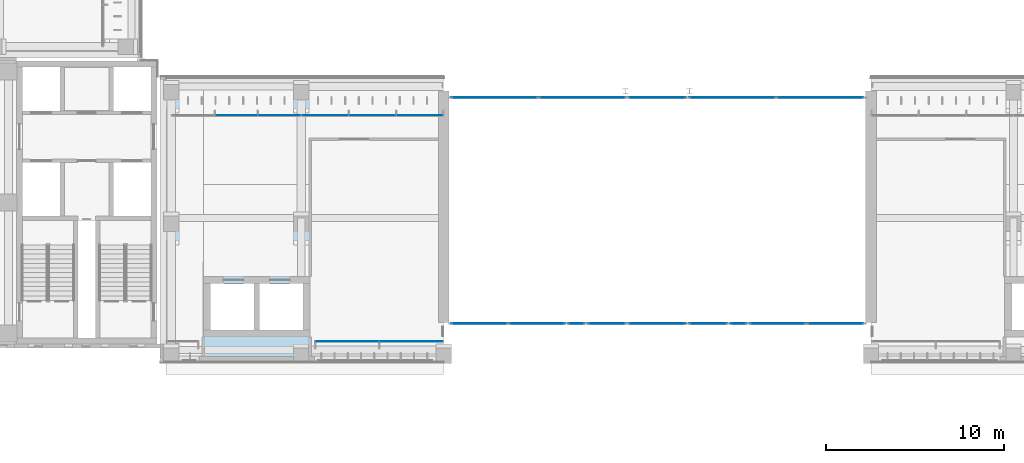
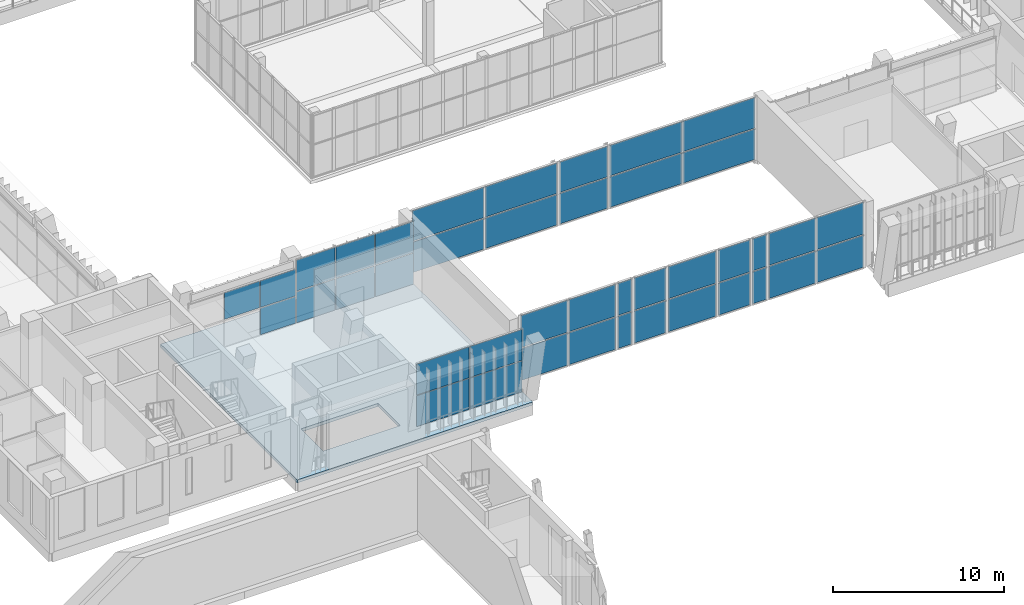
# One storey, part 52 of 92: 41 plates, 1 slab, 13 elements without a shape of their own.
"""IFC4 building model written with IfcOpenShell, lengths in metres."""

from ifc_helpers import new_model, si_unit, direction, frame, origin, origin_2d, place, context, subcontext, project, spatial, polyline, rectangle, outline, extrude, material, layer, layer_set, type_object, element, aggregate, save


model = new_model("IFC4")

# Units and contexts
model_context = context("Model", 3, precision=1e-05, world=origin(), true_north=direction((0.0, 1.0)))
body_context = subcontext(model_context, "Body", "Model", "MODEL_VIEW")
ifc_project = project(units=[si_unit("LENGTHUNIT", "METRE"), si_unit("AREAUNIT", "SQUARE_METRE"), si_unit("VOLUMEUNIT", "CUBIC_METRE"), si_unit("PLANEANGLEUNIT", "RADIAN"), si_unit("MASSUNIT", "GRAM", prefix="KILO")], contexts=[model_context])

# Site, building, storey
site_placement = place(None, origin())
site = spatial("IfcSite", under=ifc_project, at=site_placement, CompositionType="ELEMENT")
building_placement = place(site_placement, origin())
building = spatial("IfcBuilding", under=site, at=building_placement, Name="Lantern Court Media Centre", CompositionType="ELEMENT")
storey_placement = place(building_placement, frame((0.0, 0.0, 4.800048828125)))
storey = spatial("IfcBuildingStorey", under=building, at=storey_placement, Name="L01", CompositionType="ELEMENT", Elevation=4.800048828125)

# Curtain wall, plates
ifc_material_1 = material(Name="Curtain wall bay 2400")
curtain_wall_type_1 = type_object("IfcCurtainWallType", Name="Curtain wall bay 2400", PredefinedType="NOTDEFINED", material=ifc_material_1)
curtain_wall_1_placement = place(storey_placement, origin())
curtain_wall_1 = element("IfcCurtainWall", 1, at=curtain_wall_1_placement, inside=storey, type_object=curtain_wall_type_1, Name="Curtain wall S inner L01", PredefinedType="NOTDEFINED")
ifc_material_2 = material(Name="Low-iron double glazed unit glass", Category="glass")
ifc_layer_1 = layer(ifc_material_2, 0.02392578125)
ifc_layer_set_1 = layer_set([ifc_layer_1], Name="Low-iron double glazed unit glass")
plate_type_1 = type_object("IfcPlateType", Name="Curtain wall glazing unit 24", PredefinedType="CURTAIN_PANEL", material=ifc_layer_set_1)
plate_1_placement = place(storey_placement, frame((28.35009765625, 60.85009765625, 2.0), z_axis=(0.0, 0.0, 1.0), x_axis=(1.0, 0.0, 0.0)))
plate_1 = element("IfcPlate", 2, at=plate_1_placement, type_object=plate_type_1, Name="CW2 panel 2.2", PredefinedType="CURTAIN_PANEL", context=body_context, shape_type="SweptSolid", body=[
    extrude(rectangle(XDim=2.38330078125, YDim=0.02392578125, at=origin_2d()), origin(), (0.0, 0.0, 1.0), 1.89990234375),
])
plate_2_placement = place(storey_placement, frame((30.770751953125, 60.85009765625, 0.050048828125), z_axis=(0.0, 0.0, 1.0), x_axis=(1.0, 0.0, 0.0)))
plate_2 = element("IfcPlate", 3, at=plate_2_placement, type_object=plate_type_1, Name="CW2 panel 3.1", PredefinedType="CURTAIN_PANEL", context=body_context, shape_type="SweptSolid", body=[
    extrude(rectangle(XDim=2.3583984375, YDim=0.02392578125, at=origin_2d()), origin(), (0.0, 0.0, 1.0), 1.89990234375),
])
plate_3_placement = place(storey_placement, frame((30.770751953125, 60.85009765625, 2.0), z_axis=(0.0, 0.0, 1.0), x_axis=(1.0, 0.0, 0.0)))
plate_3 = element("IfcPlate", 4, at=plate_3_placement, type_object=plate_type_1, Name="CW2 panel 3.2", PredefinedType="CURTAIN_PANEL", context=body_context, shape_type="SweptSolid", body=[
    extrude(rectangle(XDim=2.3583984375, YDim=0.02392578125, at=origin_2d()), origin(), (0.0, 0.0, 1.0), 1.89990234375),
])
aggregate(curtain_wall_1, [plate_1, plate_2, plate_3])

curtain_wall_2_placement = place(storey_placement, origin())
curtain_wall_2 = element("IfcCurtainWall", 5, at=curtain_wall_2_placement, inside=storey, type_object=curtain_wall_type_1, Name="Curtain wall S inner L01", PredefinedType="NOTDEFINED")
plate_4_placement = place(storey_placement, frame((33.345947265625, 60.85009765625, 0.0498046875), z_axis=(0.0, 0.0, 1.0), x_axis=(1.0, 0.0, 0.0)))
plate_4 = element("IfcPlate", 6, at=plate_4_placement, type_object=plate_type_1, Name="CW2 panel 1.1", PredefinedType="CURTAIN_PANEL", context=body_context, shape_type="SweptSolid", body=[
    extrude(rectangle(XDim=2.591552734375, YDim=0.02392578125, at=origin_2d()), origin(), (0.0, 0.0, 1.0), 2.215087890625),
])
plate_5_placement = place(storey_placement, frame((33.345947265625, 60.85009765625, 2.31494140625), z_axis=(0.0, 0.0, 1.0), x_axis=(1.0, 0.0, 0.0)))
plate_5 = element("IfcPlate", 7, at=plate_5_placement, type_object=plate_type_1, Name="CW2 panel 1.2", PredefinedType="CURTAIN_PANEL", context=body_context, shape_type="SweptSolid", body=[
    extrude(rectangle(XDim=2.591552734375, YDim=0.02392578125, at=origin_2d()), origin(), (0.0, 0.0, 1.0), 2.215087890625),
])
plate_6_placement = place(storey_placement, frame((36.0, 60.85009765625, 0.0498046875), z_axis=(0.0, 0.0, 1.0), x_axis=(1.0, 0.0, 0.0)))
plate_6 = element("IfcPlate", 8, at=plate_6_placement, type_object=plate_type_1, Name="CW2 panel 2.1", PredefinedType="CURTAIN_PANEL", context=body_context, shape_type="SweptSolid", body=[
    extrude(rectangle(XDim=2.61669921875, YDim=0.02392578125, at=origin_2d()), origin(), (0.0, 0.0, 1.0), 2.215087890625),
])
plate_7_placement = place(storey_placement, frame((36.0, 60.85009765625, 2.31494140625), z_axis=(0.0, 0.0, 1.0), x_axis=(1.0, 0.0, 0.0)))
plate_7 = element("IfcPlate", 9, at=plate_7_placement, type_object=plate_type_1, Name="CW2 panel 2.2", PredefinedType="CURTAIN_PANEL", context=body_context, shape_type="SweptSolid", body=[
    extrude(rectangle(XDim=2.61669921875, YDim=0.02392578125, at=origin_2d()), origin(), (0.0, 0.0, 1.0), 2.215087890625),
])
plate_8_placement = place(storey_placement, frame((38.654052734375, 60.85009765625, 0.0498046875), z_axis=(0.0, 0.0, 1.0), x_axis=(1.0, 0.0, 0.0)))
plate_8 = element("IfcPlate", 10, at=plate_8_placement, type_object=plate_type_1, Name="CW2 panel 3.1", PredefinedType="CURTAIN_PANEL", context=body_context, shape_type="SweptSolid", body=[
    extrude(rectangle(XDim=2.591552734375, YDim=0.02392578125, at=origin_2d()), origin(), (0.0, 0.0, 1.0), 2.215087890625),
])
plate_9_placement = place(storey_placement, frame((38.654052734375, 60.85009765625, 2.31494140625), z_axis=(0.0, 0.0, 1.0), x_axis=(1.0, 0.0, 0.0)))
plate_9 = element("IfcPlate", 11, at=plate_9_placement, type_object=plate_type_1, Name="CW2 panel 3.2", PredefinedType="CURTAIN_PANEL", context=body_context, shape_type="SweptSolid", body=[
    extrude(rectangle(XDim=2.591552734375, YDim=0.02392578125, at=origin_2d()), origin(), (0.0, 0.0, 1.0), 2.215087890625),
])
aggregate(curtain_wall_2, [plate_4, plate_5, plate_6, plate_7, plate_8, plate_9])

ifc_material_3 = material(Name="Curtain wall bay 3000")
curtain_wall_type_2 = type_object("IfcCurtainWallType", Name="Curtain wall bay 3000", PredefinedType="NOTDEFINED", material=ifc_material_3)
curtain_wall_3_placement = place(storey_placement, origin())
curtain_wall_3 = element("IfcCurtainWall", 12, at=curtain_wall_3_placement, inside=storey, type_object=curtain_wall_type_2, Name="Curtain wall S outer L01", PredefinedType="NOTDEFINED")
ifc_layer_2 = layer(ifc_material_2, 0.028076171875)
ifc_layer_set_2 = layer_set([ifc_layer_2], Name="Low-iron double glazed unit glass")
plate_type_2 = type_object("IfcPlateType", Name="Curtain wall glazing unit 28", PredefinedType="CURTAIN_PANEL", material=ifc_layer_set_2)
plate_10_placement = place(storey_placement, frame((34.577392578125, 48.14990234375, 0.06005859375), z_axis=(0.0, 0.0, 1.0), x_axis=(1.0, 0.0, 0.0)))
plate_10 = element("IfcPlate", 13, at=plate_10_placement, type_object=plate_type_2, Name="CW1 panel 1.1", PredefinedType="CURTAIN_PANEL", context=body_context, shape_type="SweptSolid", body=[
    extrude(rectangle(XDim=3.534912109375, YDim=0.028076171875, at=origin_2d()), origin(), (0.0, 0.0, 1.0), 2.199951171875),
])
plate_11_placement = place(storey_placement, frame((34.577392578125, 48.14990234375, 2.31982421875), z_axis=(0.0, 0.0, 1.0), x_axis=(1.0, 0.0, 0.0)))
plate_11 = element("IfcPlate", 14, at=plate_11_placement, type_object=plate_type_2, Name="CW1 panel 1.2", PredefinedType="CURTAIN_PANEL", context=body_context, shape_type="SweptSolid", body=[
    extrude(rectangle(XDim=3.534912109375, YDim=0.028076171875, at=origin_2d()), origin(), (0.0, 0.0, 1.0), 2.199951171875),
])
plate_12_placement = place(storey_placement, frame((38.172607421875, 48.14990234375, 0.06005859375), z_axis=(0.0, 0.0, 1.0), x_axis=(1.0, 0.0, 0.0)))
plate_12 = element("IfcPlate", 15, at=plate_12_placement, type_object=plate_type_2, Name="CW1 panel 2.1", PredefinedType="CURTAIN_PANEL", context=body_context, shape_type="SweptSolid", body=[
    extrude(rectangle(XDim=3.534912109375, YDim=0.028076171875, at=origin_2d()), origin(), (0.0, 0.0, 1.0), 2.199951171875),
])
plate_13_placement = place(storey_placement, frame((38.172607421875, 48.14990234375, 2.31982421875), z_axis=(0.0, 0.0, 1.0), x_axis=(1.0, 0.0, 0.0)))
plate_13 = element("IfcPlate", 16, at=plate_13_placement, type_object=plate_type_2, Name="CW1 panel 2.2", PredefinedType="CURTAIN_PANEL", context=body_context, shape_type="SweptSolid", body=[
    extrude(rectangle(XDim=3.534912109375, YDim=0.028076171875, at=origin_2d()), origin(), (0.0, 0.0, 1.0), 2.199951171875),
])
aggregate(curtain_wall_3, [plate_10, plate_11, plate_12, plate_13])

ifc_material_4 = material(Name="Curtain wall bay 4000")
curtain_wall_type_3 = type_object("IfcCurtainWallType", Name="Curtain wall bay 4000", PredefinedType="NOTDEFINED", material=ifc_material_4)
curtain_wall_4_placement = place(storey_placement, origin())
curtain_wall_4 = element("IfcCurtainWall", 17, at=curtain_wall_4_placement, inside=storey, type_object=curtain_wall_type_3, Name="Curtain wall S outer L01", PredefinedType="NOTDEFINED")
ifc_material_5 = material(Name="Laminated low-iron glass", Category="glass")
ifc_layer_3 = layer(ifc_material_5, 0.0400390625)
ifc_layer_set_3 = layer_set([ifc_layer_3], Name="Laminated low-iron glass")
plate_type_3 = type_object("IfcPlateType", Name="Curtain wall glazing unit 40", PredefinedType="CURTAIN_PANEL", material=ifc_layer_set_3)
plate_14_placement = place(storey_placement, frame((42.007568359375, 49.14990234375, 0.080078125), z_axis=(0.0, 0.0, 1.0), x_axis=(1.0, 0.0, 0.0)))
plate_14 = element("IfcPlate", 18, at=plate_14_placement, type_object=plate_type_3, Name="CW3 panel 1.1", PredefinedType="CURTAIN_PANEL", context=body_context, shape_type="SweptSolid", body=[
    extrude(rectangle(XDim=3.155029296875, YDim=0.0400390625, at=origin_2d()), origin(), (0.0, 0.0, 1.0), 2.280029296875),
])
plate_15_placement = place(storey_placement, frame((42.007568359375, 49.14990234375, 2.43994140625), z_axis=(0.0, 0.0, 1.0), x_axis=(1.0, 0.0, 0.0)))
plate_15 = element("IfcPlate", 19, at=plate_15_placement, type_object=plate_type_3, Name="CW3 panel 1.2", PredefinedType="CURTAIN_PANEL", context=body_context, shape_type="SweptSolid", body=[
    extrude(rectangle(XDim=3.155029296875, YDim=0.0400390625, at=origin_2d()), origin(), (0.0, 0.0, 1.0), 2.280029296875),
])
plate_16_placement = place(storey_placement, frame((45.242431640625, 49.14990234375, 0.080078125), z_axis=(0.0, 0.0, 1.0), x_axis=(1.0, 0.0, 0.0)))
plate_16 = element("IfcPlate", 20, at=plate_16_placement, type_object=plate_type_3, Name="CW3 panel 2.1", PredefinedType="CURTAIN_PANEL", context=body_context, shape_type="SweptSolid", body=[
    extrude(rectangle(XDim=3.155029296875, YDim=0.0400390625, at=origin_2d()), origin(), (0.0, 0.0, 1.0), 2.280029296875),
])
plate_17_placement = place(storey_placement, frame((45.242431640625, 49.14990234375, 2.43994140625), z_axis=(0.0, 0.0, 1.0), x_axis=(1.0, 0.0, 0.0)))
plate_17 = element("IfcPlate", 21, at=plate_17_placement, type_object=plate_type_3, Name="CW3 panel 2.2", PredefinedType="CURTAIN_PANEL", context=body_context, shape_type="SweptSolid", body=[
    extrude(rectangle(XDim=3.155029296875, YDim=0.0400390625, at=origin_2d()), origin(), (0.0, 0.0, 1.0), 2.280029296875),
])
aggregate(curtain_wall_4, [plate_14, plate_15, plate_16, plate_17])

curtain_wall_5_placement = place(storey_placement, origin())
curtain_wall_5 = element("IfcCurtainWall", 22, at=curtain_wall_5_placement, inside=storey, type_object=curtain_wall_type_3, Name="Curtain wall S outer L01", PredefinedType="NOTDEFINED")
plate_18_placement = place(storey_placement, frame((58.757568359375, 49.14990234375, 0.080078125), z_axis=(0.0, 0.0, 1.0), x_axis=(1.0, 0.0, 0.0)))
plate_18 = element("IfcPlate", 23, at=plate_18_placement, type_object=plate_type_3, Name="CW3 panel 1.1", PredefinedType="CURTAIN_PANEL", context=body_context, shape_type="SweptSolid", body=[
    extrude(rectangle(XDim=3.155029296875, YDim=0.0400390625, at=origin_2d()), origin(), (0.0, 0.0, 1.0), 2.280029296875),
])
plate_19_placement = place(storey_placement, frame((58.757568359375, 49.14990234375, 2.43994140625), z_axis=(0.0, 0.0, 1.0), x_axis=(1.0, 0.0, 0.0)))
plate_19 = element("IfcPlate", 24, at=plate_19_placement, type_object=plate_type_3, Name="CW3 panel 1.2", PredefinedType="CURTAIN_PANEL", context=body_context, shape_type="SweptSolid", body=[
    extrude(rectangle(XDim=3.155029296875, YDim=0.0400390625, at=origin_2d()), origin(), (0.0, 0.0, 1.0), 2.280029296875),
])
plate_20_placement = place(storey_placement, frame((61.992431640625, 49.14990234375, 0.080078125), z_axis=(0.0, 0.0, 1.0), x_axis=(1.0, 0.0, 0.0)))
plate_20 = element("IfcPlate", 25, at=plate_20_placement, type_object=plate_type_3, Name="CW3 panel 2.1", PredefinedType="CURTAIN_PANEL", context=body_context, shape_type="SweptSolid", body=[
    extrude(rectangle(XDim=3.155029296875, YDim=0.0400390625, at=origin_2d()), origin(), (0.0, 0.0, 1.0), 2.280029296875),
])
plate_21_placement = place(storey_placement, frame((61.992431640625, 49.14990234375, 2.43994140625), z_axis=(0.0, 0.0, 1.0), x_axis=(1.0, 0.0, 0.0)))
plate_21 = element("IfcPlate", 26, at=plate_21_placement, type_object=plate_type_3, Name="CW3 panel 2.2", PredefinedType="CURTAIN_PANEL", context=body_context, shape_type="SweptSolid", body=[
    extrude(rectangle(XDim=3.155029296875, YDim=0.0400390625, at=origin_2d()), origin(), (0.0, 0.0, 1.0), 2.280029296875),
])
aggregate(curtain_wall_5, [plate_18, plate_19, plate_20, plate_21])

curtain_wall_6_placement = place(storey_placement, origin())
curtain_wall_6 = element("IfcCurtainWall", 27, at=curtain_wall_6_placement, inside=storey, type_object=curtain_wall_type_3, Name="Curtain wall S outer L01", PredefinedType="NOTDEFINED")
plate_22_placement = place(storey_placement, frame((47.449951171875, 49.14990234375, 0.080078125), z_axis=(0.0, 0.0, 1.0), x_axis=(1.0, 0.0, 0.0)))
plate_22 = element("IfcPlate", 28, at=plate_22_placement, type_object=plate_type_3, Name="CW3 panel 1.1", PredefinedType="CURTAIN_PANEL", context=body_context, shape_type="SweptSolid", body=[
    extrude(rectangle(XDim=0.93994140625, YDim=0.0400390625, at=origin_2d()), origin(), (0.0, 0.0, 1.0), 2.280029296875),
])
plate_23_placement = place(storey_placement, frame((47.449951171875, 49.14990234375, 2.43994140625), z_axis=(0.0, 0.0, 1.0), x_axis=(1.0, 0.0, 0.0)))
plate_23 = element("IfcPlate", 29, at=plate_23_placement, type_object=plate_type_3, Name="CW3 panel 1.2", PredefinedType="CURTAIN_PANEL", context=body_context, shape_type="SweptSolid", body=[
    extrude(rectangle(XDim=0.93994140625, YDim=0.0400390625, at=origin_2d()), origin(), (0.0, 0.0, 1.0), 2.280029296875),
])
aggregate(curtain_wall_6, [plate_22, plate_23])

curtain_wall_7_placement = place(storey_placement, origin())
curtain_wall_7 = element("IfcCurtainWall", 30, at=curtain_wall_7_placement, inside=storey, type_object=curtain_wall_type_3, Name="Curtain wall S outer L01", PredefinedType="NOTDEFINED")
plate_24_placement = place(storey_placement, frame((49.14990234375, 49.14990234375, 0.080078125), z_axis=(0.0, 0.0, 1.0), x_axis=(1.0, 0.0, 0.0)))
plate_24 = element("IfcPlate", 31, at=plate_24_placement, type_object=plate_type_3, Name="CW3 panel 1.1", PredefinedType="CURTAIN_PANEL", context=body_context, shape_type="SweptSolid", body=[
    extrude(rectangle(XDim=2.139892578125, YDim=0.0400390625, at=origin_2d()), origin(), (0.0, 0.0, 1.0), 2.280029296875),
])
plate_25_placement = place(storey_placement, frame((49.14990234375, 49.14990234375, 2.43994140625), z_axis=(0.0, 0.0, 1.0), x_axis=(1.0, 0.0, 0.0)))
plate_25 = element("IfcPlate", 32, at=plate_25_placement, type_object=plate_type_3, Name="CW3 panel 1.2", PredefinedType="CURTAIN_PANEL", context=body_context, shape_type="SweptSolid", body=[
    extrude(rectangle(XDim=2.139892578125, YDim=0.0400390625, at=origin_2d()), origin(), (0.0, 0.0, 1.0), 2.280029296875),
])
aggregate(curtain_wall_7, [plate_24, plate_25])

curtain_wall_8_placement = place(storey_placement, origin())
curtain_wall_8 = element("IfcCurtainWall", 33, at=curtain_wall_8_placement, inside=storey, type_object=curtain_wall_type_3, Name="Curtain wall S outer L01", PredefinedType="NOTDEFINED")
plate_26_placement = place(storey_placement, frame((52.0, 49.14990234375, 0.080078125), z_axis=(0.0, 0.0, 1.0), x_axis=(1.0, 0.0, 0.0)))
plate_26 = element("IfcPlate", 34, at=plate_26_placement, type_object=plate_type_3, Name="CW3 panel 1.1", PredefinedType="CURTAIN_PANEL", context=body_context, shape_type="SweptSolid", body=[
    extrude(rectangle(XDim=3.239990234375, YDim=0.0400390625, at=origin_2d()), origin(), (0.0, 0.0, 1.0), 2.280029296875),
])
plate_27_placement = place(storey_placement, frame((52.0, 49.14990234375, 2.43994140625), z_axis=(0.0, 0.0, 1.0), x_axis=(1.0, 0.0, 0.0)))
plate_27 = element("IfcPlate", 35, at=plate_27_placement, type_object=plate_type_3, Name="CW3 panel 1.2", PredefinedType="CURTAIN_PANEL", context=body_context, shape_type="SweptSolid", body=[
    extrude(rectangle(XDim=3.239990234375, YDim=0.0400390625, at=origin_2d()), origin(), (0.0, 0.0, 1.0), 2.280029296875),
])
aggregate(curtain_wall_8, [plate_26, plate_27])

curtain_wall_9_placement = place(storey_placement, origin())
curtain_wall_9 = element("IfcCurtainWall", 36, at=curtain_wall_9_placement, inside=storey, type_object=curtain_wall_type_3, Name="Curtain wall S outer L01", PredefinedType="NOTDEFINED")
plate_28_placement = place(storey_placement, frame((54.85009765625, 49.14990234375, 0.080078125), z_axis=(0.0, 0.0, 1.0), x_axis=(1.0, 0.0, 0.0)))
plate_28 = element("IfcPlate", 37, at=plate_28_placement, type_object=plate_type_3, Name="CW3 panel 1.1", PredefinedType="CURTAIN_PANEL", context=body_context, shape_type="SweptSolid", body=[
    extrude(rectangle(XDim=2.139892578125, YDim=0.0400390625, at=origin_2d()), origin(), (0.0, 0.0, 1.0), 2.280029296875),
])
plate_29_placement = place(storey_placement, frame((54.85009765625, 49.14990234375, 2.43994140625), z_axis=(0.0, 0.0, 1.0), x_axis=(1.0, 0.0, 0.0)))
plate_29 = element("IfcPlate", 38, at=plate_29_placement, type_object=plate_type_3, Name="CW3 panel 1.2", PredefinedType="CURTAIN_PANEL", context=body_context, shape_type="SweptSolid", body=[
    extrude(rectangle(XDim=2.139892578125, YDim=0.0400390625, at=origin_2d()), origin(), (0.0, 0.0, 1.0), 2.280029296875),
])
aggregate(curtain_wall_9, [plate_28, plate_29])

curtain_wall_10_placement = place(storey_placement, origin())
curtain_wall_10 = element("IfcCurtainWall", 39, at=curtain_wall_10_placement, inside=storey, type_object=curtain_wall_type_3, Name="Curtain wall S outer L01", PredefinedType="NOTDEFINED")
plate_30_placement = place(storey_placement, frame((56.550048828125, 49.14990234375, 0.080078125), z_axis=(0.0, 0.0, 1.0), x_axis=(1.0, 0.0, 0.0)))
plate_30 = element("IfcPlate", 40, at=plate_30_placement, type_object=plate_type_3, Name="CW3 panel 1.1", PredefinedType="CURTAIN_PANEL", context=body_context, shape_type="SweptSolid", body=[
    extrude(rectangle(XDim=0.93994140625, YDim=0.0400390625, at=origin_2d()), origin(), (0.0, 0.0, 1.0), 2.280029296875),
])
plate_31_placement = place(storey_placement, frame((56.550048828125, 49.14990234375, 2.43994140625), z_axis=(0.0, 0.0, 1.0), x_axis=(1.0, 0.0, 0.0)))
plate_31 = element("IfcPlate", 41, at=plate_31_placement, type_object=plate_type_3, Name="CW3 panel 1.2", PredefinedType="CURTAIN_PANEL", context=body_context, shape_type="SweptSolid", body=[
    extrude(rectangle(XDim=0.93994140625, YDim=0.0400390625, at=origin_2d()), origin(), (0.0, 0.0, 1.0), 2.280029296875),
])
aggregate(curtain_wall_10, [plate_30, plate_31])

curtain_wall_11_placement = place(storey_placement, origin())
curtain_wall_11 = element("IfcCurtainWall", 42, at=curtain_wall_11_placement, inside=storey, type_object=curtain_wall_type_3, Name="Curtain wall S inner L01", PredefinedType="NOTDEFINED")
plate_32_placement = place(storey_placement, frame((42.857421875, 61.85009765625, 0.080078125), z_axis=(0.0, 0.0, 1.0), x_axis=(1.0, 0.0, 0.0)))
plate_32 = element("IfcPlate", 43, at=plate_32_placement, type_object=plate_type_3, Name="CW3 panel 1.1", PredefinedType="CURTAIN_PANEL", context=body_context, shape_type="SweptSolid", body=[
    extrude(rectangle(XDim=4.85498046875, YDim=0.0400390625, at=origin_2d()), origin(), (0.0, 0.0, 1.0), 2.169921875),
])
plate_33_placement = place(storey_placement, frame((42.857421875, 61.85009765625, 2.330078125), z_axis=(0.0, 0.0, 1.0), x_axis=(1.0, 0.0, 0.0)))
plate_33 = element("IfcPlate", 44, at=plate_33_placement, type_object=plate_type_3, Name="CW3 panel 1.2", PredefinedType="CURTAIN_PANEL", context=body_context, shape_type="SweptSolid", body=[
    extrude(rectangle(XDim=4.85498046875, YDim=0.0400390625, at=origin_2d()), origin(), (0.0, 0.0, 1.0), 2.169921875),
])
plate_34_placement = place(storey_placement, frame((47.79248046875, 61.85009765625, 0.080078125), z_axis=(0.0, 0.0, 1.0), x_axis=(1.0, 0.0, 0.0)))
plate_34 = element("IfcPlate", 45, at=plate_34_placement, type_object=plate_type_3, Name="CW3 panel 2.1", PredefinedType="CURTAIN_PANEL", context=body_context, shape_type="SweptSolid", body=[
    extrude(rectangle(XDim=4.85498046875, YDim=0.0400390625, at=origin_2d()), origin(), (0.0, 0.0, 1.0), 2.169921875),
])
plate_35_placement = place(storey_placement, frame((47.79248046875, 61.85009765625, 2.330078125), z_axis=(0.0, 0.0, 1.0), x_axis=(1.0, 0.0, 0.0)))
plate_35 = element("IfcPlate", 46, at=plate_35_placement, type_object=plate_type_3, Name="CW3 panel 2.2", PredefinedType="CURTAIN_PANEL", context=body_context, shape_type="SweptSolid", body=[
    extrude(rectangle(XDim=4.85498046875, YDim=0.0400390625, at=origin_2d()), origin(), (0.0, 0.0, 1.0), 2.169921875),
])
aggregate(curtain_wall_11, [plate_32, plate_33, plate_34, plate_35])

curtain_wall_12_placement = place(storey_placement, origin())
curtain_wall_12 = element("IfcCurtainWall", 47, at=curtain_wall_12_placement, inside=storey, type_object=curtain_wall_type_3, Name="Curtain wall S inner L01", PredefinedType="NOTDEFINED")
plate_36_placement = place(storey_placement, frame((56.20751953125, 61.85009765625, 0.080078125), z_axis=(0.0, 0.0, 1.0), x_axis=(1.0, 0.0, 0.0)))
plate_36 = element("IfcPlate", 48, at=plate_36_placement, type_object=plate_type_3, Name="CW3 panel 1.1", PredefinedType="CURTAIN_PANEL", context=body_context, shape_type="SweptSolid", body=[
    extrude(rectangle(XDim=4.85498046875, YDim=0.0400390625, at=origin_2d()), origin(), (0.0, 0.0, 1.0), 2.169921875),
])
plate_37_placement = place(storey_placement, frame((56.20751953125, 61.85009765625, 2.330078125), z_axis=(0.0, 0.0, 1.0), x_axis=(1.0, 0.0, 0.0)))
plate_37 = element("IfcPlate", 49, at=plate_37_placement, type_object=plate_type_3, Name="CW3 panel 1.2", PredefinedType="CURTAIN_PANEL", context=body_context, shape_type="SweptSolid", body=[
    extrude(rectangle(XDim=4.85498046875, YDim=0.0400390625, at=origin_2d()), origin(), (0.0, 0.0, 1.0), 2.169921875),
])
plate_38_placement = place(storey_placement, frame((61.142578125, 61.85009765625, 0.080078125), z_axis=(0.0, 0.0, 1.0), x_axis=(1.0, 0.0, 0.0)))
plate_38 = element("IfcPlate", 50, at=plate_38_placement, type_object=plate_type_3, Name="CW3 panel 2.1", PredefinedType="CURTAIN_PANEL", context=body_context, shape_type="SweptSolid", body=[
    extrude(rectangle(XDim=4.85498046875, YDim=0.0400390625, at=origin_2d()), origin(), (0.0, 0.0, 1.0), 2.169921875),
])
plate_39_placement = place(storey_placement, frame((61.142578125, 61.85009765625, 2.330078125), z_axis=(0.0, 0.0, 1.0), x_axis=(1.0, 0.0, 0.0)))
plate_39 = element("IfcPlate", 51, at=plate_39_placement, type_object=plate_type_3, Name="CW3 panel 2.2", PredefinedType="CURTAIN_PANEL", context=body_context, shape_type="SweptSolid", body=[
    extrude(rectangle(XDim=4.85498046875, YDim=0.0400390625, at=origin_2d()), origin(), (0.0, 0.0, 1.0), 2.169921875),
])
aggregate(curtain_wall_12, [plate_36, plate_37, plate_38, plate_39])

curtain_wall_13_placement = place(storey_placement, origin())
curtain_wall_13 = element("IfcCurtainWall", 52, at=curtain_wall_13_placement, inside=storey, type_object=curtain_wall_type_3, Name="Curtain wall S inner L01", PredefinedType="NOTDEFINED")
plate_40_placement = place(storey_placement, frame((52.0, 61.85009765625, 0.080078125), z_axis=(0.0, 0.0, 1.0), x_axis=(1.0, 0.0, 0.0)))
plate_40 = element("IfcPlate", 53, at=plate_40_placement, type_object=plate_type_3, Name="CW3 panel 1.1", PredefinedType="CURTAIN_PANEL", context=body_context, shape_type="SweptSolid", body=[
    extrude(rectangle(XDim=3.239990234375, YDim=0.0400390625, at=origin_2d()), origin(), (0.0, 0.0, 1.0), 2.169921875),
])
plate_41_placement = place(storey_placement, frame((52.0, 61.85009765625, 2.330078125), z_axis=(0.0, 0.0, 1.0), x_axis=(1.0, 0.0, 0.0)))
plate_41 = element("IfcPlate", 54, at=plate_41_placement, type_object=plate_type_3, Name="CW3 panel 1.2", PredefinedType="CURTAIN_PANEL", context=body_context, shape_type="SweptSolid", body=[
    extrude(rectangle(XDim=3.239990234375, YDim=0.0400390625, at=origin_2d()), origin(), (0.0, 0.0, 1.0), 2.169921875),
])
aggregate(curtain_wall_13, [plate_40, plate_41])

# Slab
ifc_material_6 = material(Name="Concrete C35", Category="concrete")
ifc_layer_4 = layer(ifc_material_6, 0.219970703125)
ifc_layer_set_4 = layer_set([ifc_layer_4], Name="Concrete C35")
slab_type = type_object("IfcSlabType", Name="RC FLOOR SLAB 220", PredefinedType="FLOOR", material=ifc_layer_set_4)
slab_placement = place(storey_placement, frame((0.0, 0.0, -0.219970703125)))
element("IfcSlab", 55, at=slab_placement, inside=storey, type_object=slab_type, Name="SL-S-L01-2", PredefinedType="FLOOR", context=body_context, shape_type="SweptSolid", body=[
    extrude(outline(polyline([(24.10009765625, 47.0), (24.10009765625, 63.0), (40.0, 63.0), (40.0, 47.0), (24.10009765625, 47.0)]), holes=[polyline([(32.10009765625, 48.800048828125), (32.10009765625, 51.39990234375), (26.89990234375, 51.39990234375), (26.89990234375, 48.800048828125), (32.10009765625, 48.800048828125)])]), origin(), (0.0, 0.0, 1.0), 0.219970703125),
])

save(model, "model.ifc")
